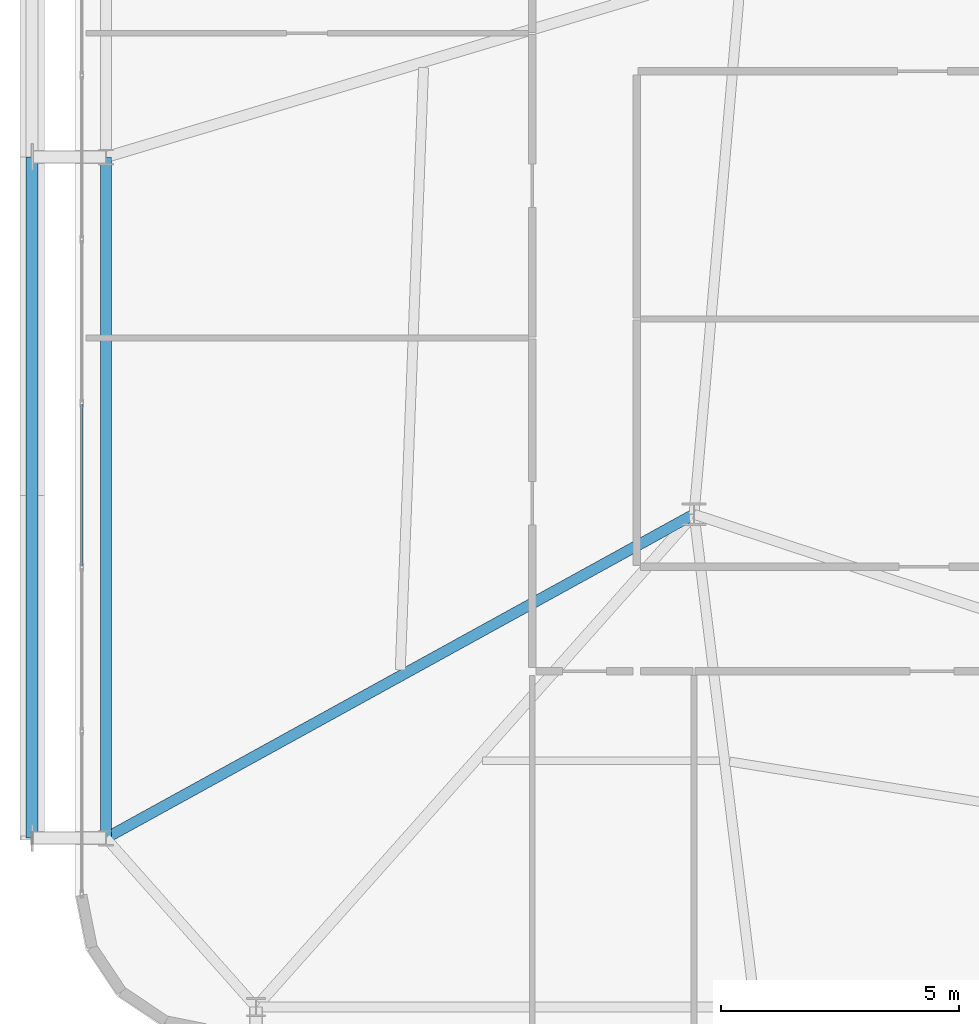
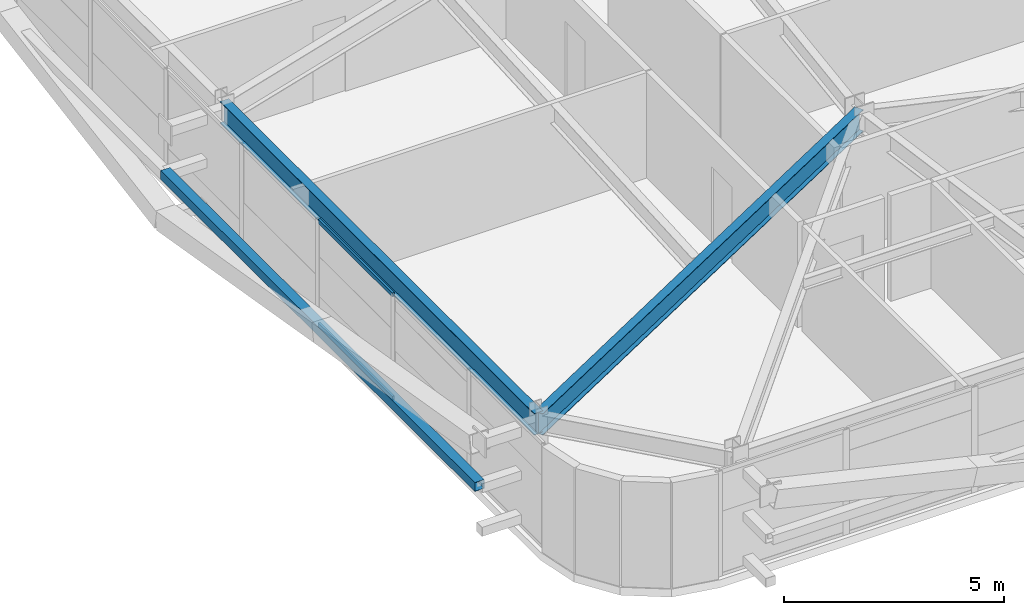
# One storey, part 9 of 59: 3 members, 2 beams, 1 element without a shape of its own.
"""IFC4 building model written with IfcOpenShell, lengths in metres."""

from ifc_helpers import new_model, si_unit, direction, frame, origin, origin_2d, place, context, subcontext, project, spatial, hollow_rectangle, i_section, extrude, source, transform, mapped, material, layer, layer_set, material_profile, profile_set, type_object, element, aggregate, save


model = new_model("IFC4")

# Units and contexts
model_context = context("Model", 3, precision=1e-05, world=origin(), true_north=direction((0.0, 1.0)))
body_context = subcontext(model_context, "Body", "Model", "MODEL_VIEW")
ifc_project = project(units=[si_unit("LENGTHUNIT", "METRE"), si_unit("AREAUNIT", "SQUARE_METRE"), si_unit("VOLUMEUNIT", "CUBIC_METRE"), si_unit("PLANEANGLEUNIT", "RADIAN"), si_unit("MASSUNIT", "GRAM", prefix="KILO")], contexts=[model_context])

# Site, building, storey
site_placement = place(None, origin())
site = spatial("IfcSite", under=ifc_project, at=site_placement, CompositionType="ELEMENT")
building_placement = place(site_placement, origin())
building = spatial("IfcBuilding", under=site, at=building_placement, Name="Taldren Reach Tower", CompositionType="ELEMENT")
storey_placement = place(building_placement, frame((0.0, 0.0, 45.14990234375)))
storey = spatial("IfcBuildingStorey", under=building, at=storey_placement, Name="L13", CompositionType="ELEMENT", Elevation=45.14990234375)

# Beams
ifc_material_1 = material(Name="Steel Gr 350 (350PLUS)", Category="steel")
ifc_material_profile_1 = material_profile(ifc_material_1, i_section(OverallWidth=0.22802734375, OverallDepth=0.60205078125, WebThickness=0.010498046875, FlangeThickness=0.014892578125, at=origin_2d()), Name="610UB101")
ifc_profile_set_1 = profile_set([ifc_material_profile_1], Name="Steel Gr 350 (350PLUS)")
beam_type = type_object("IfcBeamType", Name="BM-UB610B", PredefinedType="BEAM", material=ifc_profile_set_1)
shared_shape_1 = source(origin(), body_context, "Body", "SweptSolid", [
    extrude(i_section(OverallWidth=0.22802734375, OverallDepth=0.60205078125, WebThickness=0.010498046875, FlangeThickness=0.014892578125, at=origin_2d()), origin(), (0.0, 0.0, 1.0), 14.300048828125),
])
beam_1_placement = place(storey_placement, frame((5.64990234375, 20.0, 2.629150390625), z_axis=(0.0, -1.0, 0.0), x_axis=(1.0, 0.0, 0.0)))
element("IfcBeam", 1, at=beam_1_placement, inside=storey, type_object=beam_type, Name="Perimeter gable girder B1 W2-W1 L13", PredefinedType="BEAM", context=body_context, shape_type="MappedRepresentation", body=[
    mapped(shared_shape_1, transform((0.0, 0.0, 0.0), scale=1.0)),
])
shared_shape_2 = source(origin(), body_context, "Body", "SweptSolid", [
    extrude(i_section(OverallWidth=0.22802734375, OverallDepth=0.60205078125, WebThickness=0.010498046875, FlangeThickness=0.014892578125, at=origin_2d()), origin(), (0.0, 0.0, 1.0), 14.098388671875),
])
beam_2_placement = place(storey_placement, frame((18.0, 12.5, 2.629150390625), z_axis=(-0.875991325783, -0.482326857175, 0.0), x_axis=(0.482326857175, -0.875991325783, 0.0)))
element("IfcBeam", 2, at=beam_2_placement, inside=storey, type_object=beam_type, Name="Primary floor girder B1-W1 L13", PredefinedType="BEAM", context=body_context, shape_type="MappedRepresentation", body=[
    mapped(shared_shape_2, transform((0.0, 0.0, 0.0), scale=1.0)),
])

# Member
ifc_material_2 = material(Name="Steel Gr 350 (C350L0)", Category="steel")
ifc_material_profile_2 = material_profile(ifc_material_2, hollow_rectangle(XDim=0.25, YDim=0.25, WallThickness=0.010009765625, at=origin_2d()), Name="250x250x10.0SHS")
ifc_profile_set_2 = profile_set([ifc_material_profile_2], Name="Steel Gr 350 (C350L0)")
member_type_1 = type_object("IfcMemberType", Name="MB-POST250", PredefinedType="POST", material=ifc_profile_set_2)
shared_shape_3 = source(origin(), body_context, "Body", "SweptSolid", [
    extrude(hollow_rectangle(XDim=0.25, YDim=0.25, WallThickness=0.010009765625, at=origin_2d()), origin(), (0.0, 0.0, 1.0), 14.300048828125),
])
member_1_placement = place(storey_placement, frame((4.10009765625, 5.699951171875, 1.43505859375), z_axis=(0.0, 1.0, 0.0), x_axis=(-1.0, 0.0, 0.0)))
element("IfcMember", 3, at=member_1_placement, inside=storey, type_object=member_type_1, Name="Exoskeleton mid-height ring chord B1-W1 L13", PredefinedType="POST", context=body_context, shape_type="MappedRepresentation", body=[
    mapped(shared_shape_3, transform((0.0, 0.0, 0.0), scale=1.0)),
])

# Curtain wall, members
ifc_material_3 = material(Name="Aluminium and Low-E Glass Unitised System", Category="aluminium")
ifc_layer = layer(ifc_material_3, 0.159912109375)
ifc_layer_set = layer_set([ifc_layer], Name="Aluminium and Low-E Glass Unitised System")
curtain_wall_type = type_object("IfcCurtainWallType", Name="CW-SYS-2", PredefinedType="NOTDEFINED", material=ifc_layer_set)
curtain_wall_placement = place(storey_placement, origin())
curtain_wall = element("IfcCurtainWall", 4, at=curtain_wall_placement, inside=storey, type_object=curtain_wall_type, Name="Unitised curtain wall CW-L13-W", PredefinedType="NOTDEFINED")
ifc_material_4 = material(Name="Anodised Aluminium 6063-T6", Category="aluminium")
ifc_material_profile_3 = material_profile(ifc_material_4, hollow_rectangle(XDim=0.054931640625, YDim=0.1201171875, WallThickness=0.0029296875, at=origin_2d()), Name="ALU-120x55x3RHS")
ifc_profile_set_3 = profile_set([ifc_material_profile_3], Name="Anodised Aluminium 6063-T6")
member_type_2 = type_object("IfcMemberType", Name="CW-TRN-135", PredefinedType="USERDEFINED", material=ifc_profile_set_3)
shared_shape_4 = source(origin(), body_context, "Body", "SweptSolid", [
    extrude(hollow_rectangle(XDim=0.054931640625, YDim=0.1201171875, WallThickness=0.0029296875, at=origin_2d()), origin(), (0.0, 0.0, 1.0), 3.37939453125),
])
member_2_placement = place(storey_placement, frame((5.139892578125, 14.80078125, 0.027587890625), z_axis=(0.0, -1.0, 0.0), x_axis=(1.0, 0.0, 0.0)))
member_2 = element("IfcMember", 5, at=member_2_placement, type_object=member_type_2, Name="CW-2 transom 7.1", ObjectType="TRANSOM", PredefinedType="USERDEFINED", context=body_context, shape_type="MappedRepresentation", body=[
    mapped(shared_shape_4, transform((0.0, 0.0, 0.0), scale=1.0)),
])
member_3_placement = place(storey_placement, frame((5.139892578125, 14.80078125, 2.902587890625), z_axis=(0.0, -1.0, 0.0), x_axis=(1.0, 0.0, 0.0)))
member_3 = element("IfcMember", 6, at=member_3_placement, type_object=member_type_2, Name="CW-2 transom 7.2", ObjectType="TRANSOM", PredefinedType="USERDEFINED", context=body_context, shape_type="MappedRepresentation", body=[
    mapped(shared_shape_4, transform((0.0, 0.0, 0.0), scale=1.0)),
])
aggregate(curtain_wall, [member_2, member_3])

save(model, "model.ifc")
